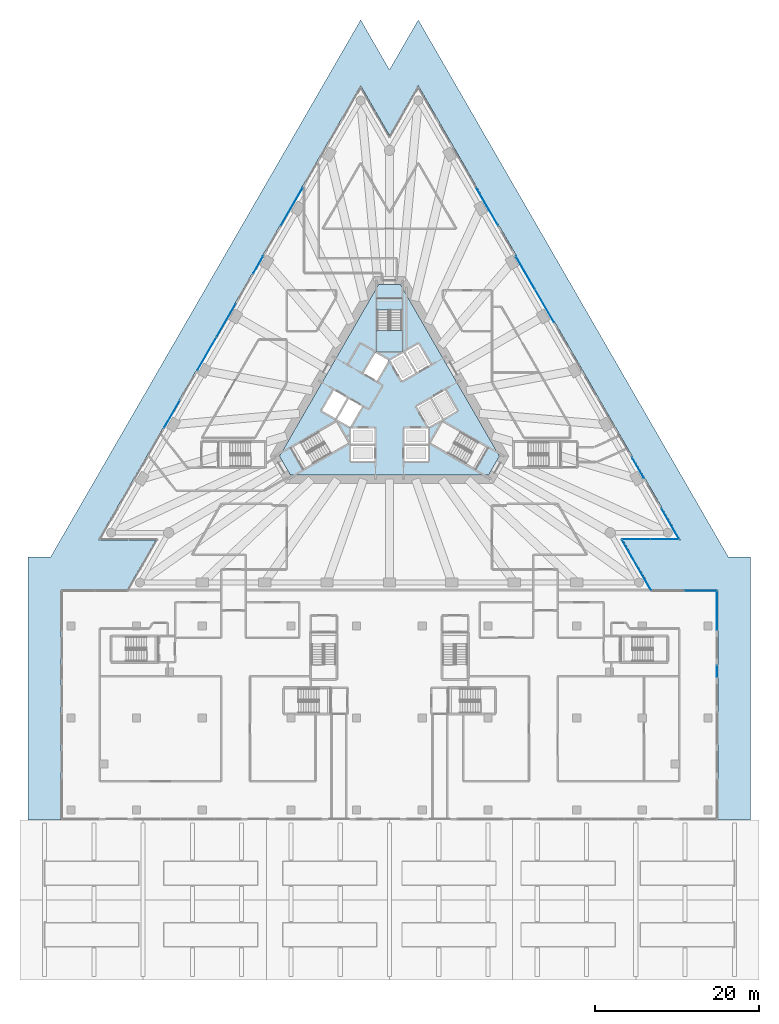
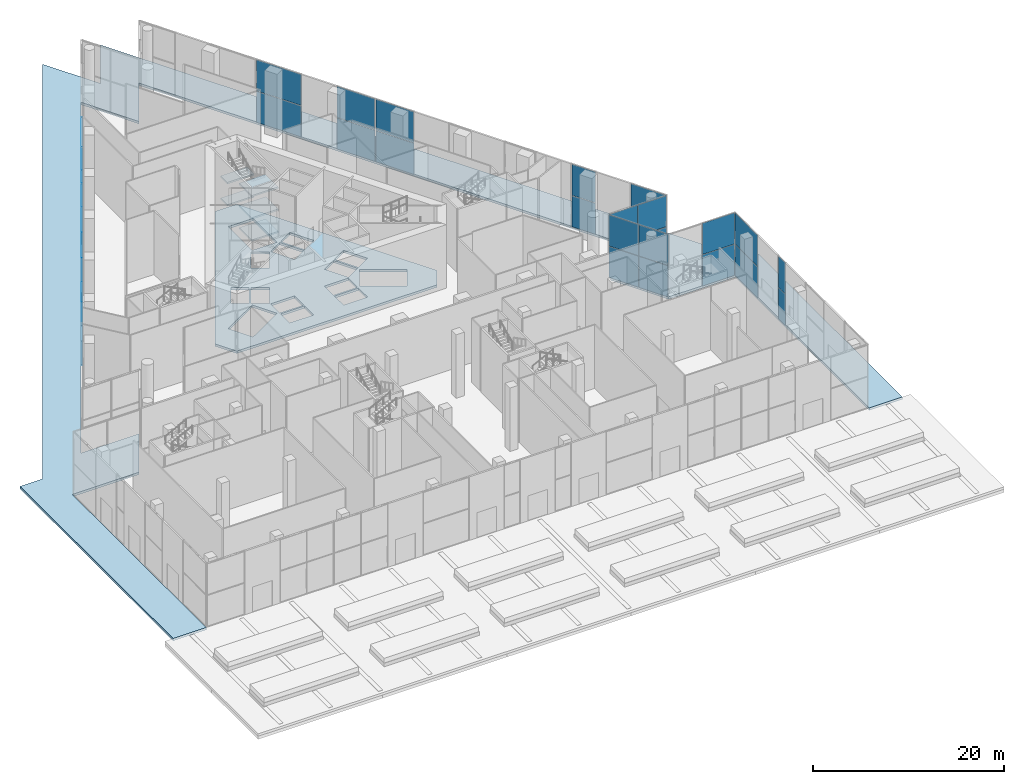
# One storey, part 18 of 41: 34 plates, 7 slabs, 16 elements without a shape of their own.
"""IFC4 building model written with IfcOpenShell, lengths in metres."""

from ifc_helpers import new_model, si_unit, direction, frame, origin, origin_2d, place, context, subcontext, project, spatial, polyline, rectangle, outline, extrude, material, layer, layer_set, type_object, element, aggregate, save


model = new_model("IFC4")

# Units and contexts
model_context = context("Model", 3, precision=1e-05, world=origin(), true_north=direction((0.0, 1.0)))
body_context = subcontext(model_context, "Body", "Model", "MODEL_VIEW")
ifc_project = project(units=[si_unit("LENGTHUNIT", "METRE"), si_unit("AREAUNIT", "SQUARE_METRE"), si_unit("VOLUMEUNIT", "CUBIC_METRE"), si_unit("PLANEANGLEUNIT", "RADIAN"), si_unit("MASSUNIT", "GRAM", prefix="KILO")], contexts=[model_context])

# Site, building, storey
site_placement = place(None, origin())
site = spatial("IfcSite", under=ifc_project, at=site_placement, CompositionType="ELEMENT")
building_placement = place(site_placement, origin())
building = spatial("IfcBuilding", under=site, at=building_placement, Name="Triada Interchange Tower", CompositionType="ELEMENT")
storey_placement = place(building_placement, origin())
storey = spatial("IfcBuildingStorey", under=building, at=storey_placement, Name="L00", CompositionType="ELEMENT", Elevation=0.0)

# Slab
ifc_material_1 = material(Name="Concrete C50/60", Category="concrete")
ifc_layer_1 = layer(ifc_material_1, 0.300048828125)
ifc_layer_set_1 = layer_set([ifc_layer_1], Name="Floor slab 300")
slab_type_1 = type_object("IfcSlabType", Name="Floor slab 300", PredefinedType="FLOOR", material=ifc_layer_set_1)
slab_1_placement = place(storey_placement, frame((0.0, 0.0, -0.300048828125)))
element("IfcSlab", 1, at=slab_1_placement, inside=storey, type_object=slab_type_1, Name="Core floor slab L00 1", PredefinedType="FLOOR", context=body_context, shape_type="SweptSolid", body=[
    extrude(outline(polyline([(13.39501953125, -6.199951171875), (12.06689453125, -8.5), (-12.06689453125, -8.5), (-13.39501953125, -6.199951171875), (-1.327880859375, 14.699951171875), (1.327880859375, 14.699951171875), (13.39501953125, -6.199951171875)]), holes=[polyline([(9.2958984375, -7.09912109375), (10.7958984375, -4.5009765625), (6.466064453125, -2.0009765625), (4.966064453125, -4.59912109375), (9.2958984375, -7.09912109375)]), polyline([(6.7890625, 1.841064453125), (5.14404296875, 0.89111328125), (6.593994140625, -1.6201171875), (8.239013671875, -0.669921875), (6.7890625, 1.841064453125)]), polyline([(4.969970703125, 0.791015625), (3.324951171875, -0.158935546875), (4.77490234375, -2.669921875), (6.419921875, -1.719970703125), (4.969970703125, 0.791015625)]), polyline([(1.89404296875, 6.52001953125), (3.343994140625, 4.009033203125), (4.989013671875, 4.958984375), (3.5390625, 7.469970703125), (1.89404296875, 6.52001953125)]), polyline([(1.800048828125, -4.89990234375), (1.800048828125, -6.800048828125), (4.699951171875, -6.800048828125), (4.699951171875, -4.89990234375), (1.800048828125, -4.89990234375)]), polyline([(1.800048828125, -2.800048828125), (1.800048828125, -4.10107421875), (1.800048828125, -4.699951171875), (4.699951171875, -4.699951171875), (4.699951171875, -2.800048828125), (1.800048828125, -2.800048828125)]), polyline([(1.52490234375, 2.958984375), (1.708984375, 3.06494140625), (3.169921875, 3.908935546875), (1.719970703125, 6.419921875), (0.074951171875, 5.469970703125), (1.52490234375, 2.958984375)]), polyline([(1.5, 11.60009765625), (-1.5, 11.60009765625), (-1.5, 6.60009765625), (1.5, 6.60009765625), (1.5, 11.60009765625)]), polyline([(-1.52490234375, 2.958984375), (-0.074951171875, 5.469970703125), (-1.719970703125, 6.419921875), (-3.169921875, 3.908935546875), (-1.52490234375, 2.958984375)]), polyline([(-4.699951171875, -2.800048828125), (-4.699951171875, -4.699951171875), (-1.800048828125, -4.699951171875), (-1.800048828125, -4.10107421875), (-1.800048828125, -2.800048828125), (-4.699951171875, -2.800048828125)]), polyline([(-4.699951171875, -4.89990234375), (-4.699951171875, -6.800048828125), (-1.800048828125, -6.800048828125), (-1.800048828125, -4.89990234375), (-4.699951171875, -4.89990234375)]), polyline([(-3.324951171875, -0.158935546875), (-3.450927734375, -0.0859375), (-4.969970703125, 0.791015625), (-6.419921875, -1.719970703125), (-4.77490234375, -2.669921875), (-3.324951171875, -0.158935546875)]), polyline([(-10.7958984375, -4.5009765625), (-9.2958984375, -7.09912109375), (-4.966064453125, -4.59912109375), (-6.466064453125, -2.0009765625), (-10.7958984375, -4.5009765625)]), polyline([(-6.593994140625, -1.6201171875), (-5.14404296875, 0.89111328125), (-6.7890625, 1.841064453125), (-8.239013671875, -0.669921875), (-6.593994140625, -1.6201171875)])]), origin(), (0.0, 0.0, 1.0), 0.300048828125),
])

# Curtain wall, plates
ifc_material_2 = material(Name="Aluminium framed glazing", Category="aluminium")
ifc_layer_2 = layer(ifc_material_2, 0.199951171875)
ifc_layer_set_2 = layer_set([ifc_layer_2], Name="Curtain wall Concourse glazed screen")
curtain_wall_type_1 = type_object("IfcCurtainWallType", Name="Curtain wall Concourse glazed screen", PredefinedType="NOTDEFINED", material=ifc_layer_set_2)
curtain_wall_1_placement = place(storey_placement, origin())
curtain_wall_1 = element("IfcCurtainWall", 2, at=curtain_wall_1_placement, inside=storey, type_object=curtain_wall_type_1, Name="Concourse glazed screen CW019 L00", PredefinedType="NOTDEFINED")
ifc_material_3 = material(Name="Insulated glazing unit", Category="glass")
ifc_layer_3 = layer(ifc_material_3, 0.031982421875)
ifc_layer_set_3 = layer_set([ifc_layer_3], Name="Glazing panel Concourse glazed screen 32")
plate_type_1 = type_object("IfcPlateType", Name="Glazing panel Concourse glazed screen 32", PredefinedType="CURTAIN_PANEL", material=ifc_layer_set_3)
plate_1_placement = place(storey_placement, frame((34.20458984375, -14.443115234375, 0.06005859375), z_axis=(0.0, 0.0, 1.0), x_axis=(-0.499974734167, 0.866039990529, 0.0)))
plate_1 = element("IfcPlate", 3, at=plate_1_placement, type_object=plate_type_1, Name="CW019 panel 1.1", PredefinedType="CURTAIN_PANEL", context=body_context, shape_type="SweptSolid", body=[
    extrude(rectangle(XDim=4.226318359375, YDim=0.031982421875, at=origin_2d()), origin(), (0.0, 0.0, 1.0), 3.9599609375),
])
plate_2_placement = place(storey_placement, frame((34.20458984375, -14.443115234375, 4.080078125), z_axis=(0.0, 0.0, 1.0), x_axis=(-0.499974734167, 0.866039990529, 0.0)))
plate_2 = element("IfcPlate", 4, at=plate_2_placement, type_object=plate_type_1, Name="CW019 panel 1.2", PredefinedType="CURTAIN_PANEL", context=body_context, shape_type="SweptSolid", body=[
    extrude(rectangle(XDim=4.226318359375, YDim=0.031982421875, at=origin_2d()), origin(), (0.0, 0.0, 1.0), 3.9599609375),
])
aggregate(curtain_wall_1, [plate_1, plate_2])

curtain_wall_2_placement = place(storey_placement, origin())
curtain_wall_2 = element("IfcCurtainWall", 5, at=curtain_wall_2_placement, inside=storey, type_object=curtain_wall_type_1, Name="Concourse glazed screen CW020 L00", PredefinedType="NOTDEFINED")
plate_3_placement = place(storey_placement, frame((30.279541015625, -7.64501953125, 0.06005859375), z_axis=(0.0, 0.0, 1.0), x_axis=(-0.500035042179, 0.866005171228, 0.0)))
plate_3 = element("IfcPlate", 6, at=plate_3_placement, type_object=plate_type_1, Name="CW020 panel 1.1", PredefinedType="CURTAIN_PANEL", context=body_context, shape_type="SweptSolid", body=[
    extrude(rectangle(XDim=2.833740234375, YDim=0.031982421875, at=origin_2d()), origin(), (0.0, 0.0, 1.0), 3.9599609375),
])
plate_4_placement = place(storey_placement, frame((30.279541015625, -7.64501953125, 4.080078125), z_axis=(0.0, 0.0, 1.0), x_axis=(-0.500035042179, 0.866005171228, 0.0)))
plate_4 = element("IfcPlate", 7, at=plate_4_placement, type_object=plate_type_1, Name="CW020 panel 1.2", PredefinedType="CURTAIN_PANEL", context=body_context, shape_type="SweptSolid", body=[
    extrude(rectangle(XDim=2.833740234375, YDim=0.031982421875, at=origin_2d()), origin(), (0.0, 0.0, 1.0), 3.9599609375),
])
aggregate(curtain_wall_2, [plate_3, plate_4])

curtain_wall_3_placement = place(storey_placement, origin())
curtain_wall_3 = element("IfcCurtainWall", 8, at=curtain_wall_3_placement, inside=storey, type_object=curtain_wall_type_1, Name="Concourse glazed screen CW023 L00", PredefinedType="NOTDEFINED")
plate_5_placement = place(storey_placement, frame((18.89453125, 12.073486328125, 0.06005859375), z_axis=(0.0, 0.0, 1.0), x_axis=(-0.500110448923, 0.865961626677, 0.0)))
plate_5 = element("IfcPlate", 9, at=plate_5_placement, type_object=plate_type_1, Name="CW023 panel 1.1", PredefinedType="CURTAIN_PANEL", context=body_context, shape_type="SweptSolid", body=[
    extrude(rectangle(XDim=4.56494140625, YDim=0.031982421875, at=origin_2d()), origin(), (0.0, 0.0, 1.0), 3.9599609375),
])
plate_6_placement = place(storey_placement, frame((18.89453125, 12.073486328125, 4.080078125), z_axis=(0.0, 0.0, 1.0), x_axis=(-0.500110448923, 0.865961626677, 0.0)))
plate_6 = element("IfcPlate", 10, at=plate_6_placement, type_object=plate_type_1, Name="CW023 panel 1.2", PredefinedType="CURTAIN_PANEL", context=body_context, shape_type="SweptSolid", body=[
    extrude(rectangle(XDim=4.56494140625, YDim=0.031982421875, at=origin_2d()), origin(), (0.0, 0.0, 1.0), 3.9599609375),
])
aggregate(curtain_wall_3, [plate_5, plate_6])

curtain_wall_4_placement = place(storey_placement, origin())
curtain_wall_4 = element("IfcCurtainWall", 11, at=curtain_wall_4_placement, inside=storey, type_object=curtain_wall_type_1, Name="Concourse glazed screen CW024 L00", PredefinedType="NOTDEFINED")
plate_7_placement = place(storey_placement, frame((16.547119140625, 16.139404296875, 0.06005859375), z_axis=(0.0, 0.0, 1.0), x_axis=(-0.499950360297, 0.866054061384, 0.0)))
plate_7 = element("IfcPlate", 12, at=plate_7_placement, type_object=plate_type_1, Name="CW024 panel 1.1", PredefinedType="CURTAIN_PANEL", context=body_context, shape_type="SweptSolid", body=[
    extrude(rectangle(XDim=4.564453125, YDim=0.031982421875, at=origin_2d()), origin(), (0.0, 0.0, 1.0), 3.9599609375),
])
plate_8_placement = place(storey_placement, frame((16.547119140625, 16.139404296875, 4.080078125), z_axis=(0.0, 0.0, 1.0), x_axis=(-0.499950360297, 0.866054061384, 0.0)))
plate_8 = element("IfcPlate", 13, at=plate_8_placement, type_object=plate_type_1, Name="CW024 panel 1.2", PredefinedType="CURTAIN_PANEL", context=body_context, shape_type="SweptSolid", body=[
    extrude(rectangle(XDim=4.564453125, YDim=0.031982421875, at=origin_2d()), origin(), (0.0, 0.0, 1.0), 3.9599609375),
])
aggregate(curtain_wall_4, [plate_7, plate_8])

curtain_wall_5_placement = place(storey_placement, origin())
curtain_wall_5 = element("IfcCurtainWall", 14, at=curtain_wall_5_placement, inside=storey, type_object=curtain_wall_type_1, Name="Concourse glazed screen CW025 L00", PredefinedType="NOTDEFINED")
plate_9_placement = place(storey_placement, frame((11.903076171875, 24.1826171875, 0.06005859375), z_axis=(0.0, 0.0, 1.0), x_axis=(-0.50009553642, 0.86597023878, 0.0)))
plate_9 = element("IfcPlate", 15, at=plate_9_placement, type_object=plate_type_1, Name="CW025 panel 1.1", PredefinedType="CURTAIN_PANEL", context=body_context, shape_type="SweptSolid", body=[
    extrude(rectangle(XDim=5.370849609375, YDim=0.031982421875, at=origin_2d()), origin(), (0.0, 0.0, 1.0), 3.9599609375),
])
plate_10_placement = place(storey_placement, frame((11.903076171875, 24.1826171875, 4.080078125), z_axis=(0.0, 0.0, 1.0), x_axis=(-0.50009553642, 0.86597023878, 0.0)))
plate_10 = element("IfcPlate", 16, at=plate_10_placement, type_object=plate_type_1, Name="CW025 panel 1.2", PredefinedType="CURTAIN_PANEL", context=body_context, shape_type="SweptSolid", body=[
    extrude(rectangle(XDim=5.370849609375, YDim=0.031982421875, at=origin_2d()), origin(), (0.0, 0.0, 1.0), 3.9599609375),
])
aggregate(curtain_wall_5, [plate_9, plate_10])

curtain_wall_6_placement = place(storey_placement, origin())
curtain_wall_6 = element("IfcCurtainWall", 17, at=curtain_wall_6_placement, inside=storey, type_object=curtain_wall_type_1, Name="Concourse glazed screen CW032 L00", PredefinedType="NOTDEFINED")
plate_11_placement = place(storey_placement, frame((-11.91650390625, 24.159423828125, 0.06005859375), z_axis=(0.0, 0.0, 1.0), x_axis=(-0.500035527435, -0.866004891039, 0.0)))
plate_11 = element("IfcPlate", 18, at=plate_11_placement, type_object=plate_type_1, Name="CW032 panel 1.1", PredefinedType="CURTAIN_PANEL", context=body_context, shape_type="SweptSolid", body=[
    extrude(rectangle(XDim=5.317626953125, YDim=0.031982421875, at=origin_2d()), origin(), (0.0, 0.0, 1.0), 3.9599609375),
])
plate_12_placement = place(storey_placement, frame((-11.91650390625, 24.159423828125, 4.080078125), z_axis=(0.0, 0.0, 1.0), x_axis=(-0.500035527435, -0.866004891039, 0.0)))
plate_12 = element("IfcPlate", 19, at=plate_12_placement, type_object=plate_type_1, Name="CW032 panel 1.2", PredefinedType="CURTAIN_PANEL", context=body_context, shape_type="SweptSolid", body=[
    extrude(rectangle(XDim=5.317626953125, YDim=0.031982421875, at=origin_2d()), origin(), (0.0, 0.0, 1.0), 3.9599609375),
])
aggregate(curtain_wall_6, [plate_11, plate_12])

curtain_wall_7_placement = place(storey_placement, origin())
curtain_wall_7 = element("IfcCurtainWall", 20, at=curtain_wall_7_placement, inside=storey, type_object=curtain_wall_type_1, Name="Concourse glazed screen CW033 L00", PredefinedType="NOTDEFINED")
plate_13_placement = place(storey_placement, frame((-16.00390625, 17.07958984375, 0.06005859375), z_axis=(0.0, 0.0, 1.0), x_axis=(-0.500078582492, -0.865980029408, 0.0)))
plate_13 = element("IfcPlate", 21, at=plate_13_placement, type_object=plate_type_1, Name="CW033 panel 1.1", PredefinedType="CURTAIN_PANEL", context=body_context, shape_type="SweptSolid", body=[
    extrude(rectangle(XDim=2.3916015625, YDim=0.031982421875, at=origin_2d()), origin(), (0.0, 0.0, 1.0), 3.9599609375),
])
plate_14_placement = place(storey_placement, frame((-16.00390625, 17.07958984375, 4.080078125), z_axis=(0.0, 0.0, 1.0), x_axis=(-0.500078582492, -0.865980029408, 0.0)))
plate_14 = element("IfcPlate", 22, at=plate_14_placement, type_object=plate_type_1, Name="CW033 panel 1.2", PredefinedType="CURTAIN_PANEL", context=body_context, shape_type="SweptSolid", body=[
    extrude(rectangle(XDim=2.3916015625, YDim=0.031982421875, at=origin_2d()), origin(), (0.0, 0.0, 1.0), 3.9599609375),
])
aggregate(curtain_wall_7, [plate_13, plate_14])

curtain_wall_8_placement = place(storey_placement, origin())
curtain_wall_8 = element("IfcCurtainWall", 23, at=curtain_wall_8_placement, inside=storey, type_object=curtain_wall_type_1, Name="Concourse glazed screen CW034 L00", PredefinedType="NOTDEFINED")
plate_15_placement = place(storey_placement, frame((-19.903564453125, 10.326416015625, 0.06005859375), z_axis=(0.0, 0.0, 1.0), x_axis=(-0.500110448923, -0.865961626677, 0.0)))
plate_15 = element("IfcPlate", 24, at=plate_15_placement, type_object=plate_type_1, Name="CW034 panel 1.1", PredefinedType="CURTAIN_PANEL", context=body_context, shape_type="SweptSolid", body=[
    extrude(rectangle(XDim=4.56494140625, YDim=0.031982421875, at=origin_2d()), origin(), (0.0, 0.0, 1.0), 3.9599609375),
])
plate_16_placement = place(storey_placement, frame((-19.903564453125, 10.326416015625, 4.080078125), z_axis=(0.0, 0.0, 1.0), x_axis=(-0.500110448923, -0.865961626677, 0.0)))
plate_16 = element("IfcPlate", 25, at=plate_16_placement, type_object=plate_type_1, Name="CW034 panel 1.2", PredefinedType="CURTAIN_PANEL", context=body_context, shape_type="SweptSolid", body=[
    extrude(rectangle(XDim=4.56494140625, YDim=0.031982421875, at=origin_2d()), origin(), (0.0, 0.0, 1.0), 3.9599609375),
])
aggregate(curtain_wall_8, [plate_15, plate_16])

curtain_wall_9_placement = place(storey_placement, origin())
curtain_wall_9 = element("IfcCurtainWall", 26, at=curtain_wall_9_placement, inside=storey, type_object=curtain_wall_type_1, Name="Concourse glazed screen CW035 L00", PredefinedType="NOTDEFINED")
plate_17_placement = place(storey_placement, frame((-22.2509765625, 6.260498046875, 0.06005859375), z_axis=(0.0, 0.0, 1.0), x_axis=(-0.499950360297, -0.866054061384, 0.0)))
plate_17 = element("IfcPlate", 27, at=plate_17_placement, type_object=plate_type_1, Name="CW035 panel 1.1", PredefinedType="CURTAIN_PANEL", context=body_context, shape_type="SweptSolid", body=[
    extrude(rectangle(XDim=4.564453125, YDim=0.031982421875, at=origin_2d()), origin(), (0.0, 0.0, 1.0), 3.9599609375),
])
plate_18_placement = place(storey_placement, frame((-22.2509765625, 6.260498046875, 4.080078125), z_axis=(0.0, 0.0, 1.0), x_axis=(-0.499950360297, -0.866054061384, 0.0)))
plate_18 = element("IfcPlate", 28, at=plate_18_placement, type_object=plate_type_1, Name="CW035 panel 1.2", PredefinedType="CURTAIN_PANEL", context=body_context, shape_type="SweptSolid", body=[
    extrude(rectangle(XDim=4.564453125, YDim=0.031982421875, at=origin_2d()), origin(), (0.0, 0.0, 1.0), 3.9599609375),
])
aggregate(curtain_wall_9, [plate_17, plate_18])

curtain_wall_10_placement = place(storey_placement, origin())
curtain_wall_10 = element("IfcCurtainWall", 29, at=curtain_wall_10_placement, inside=storey, type_object=curtain_wall_type_1, Name="Concourse glazed screen CW036 L00", PredefinedType="NOTDEFINED")
plate_19_placement = place(storey_placement, frame((-26.489501953125, -1.0810546875, 0.06005859375), z_axis=(0.0, 0.0, 1.0), x_axis=(-0.499946109043, -0.866056515508, 0.0)))
plate_19 = element("IfcPlate", 30, at=plate_19_placement, type_object=plate_type_1, Name="CW036 panel 1.1", PredefinedType="CURTAIN_PANEL", context=body_context, shape_type="SweptSolid", body=[
    extrude(rectangle(XDim=3.75048828125, YDim=0.031982421875, at=origin_2d()), origin(), (0.0, 0.0, 1.0), 3.9599609375),
])
plate_20_placement = place(storey_placement, frame((-26.489501953125, -1.0810546875, 4.080078125), z_axis=(0.0, 0.0, 1.0), x_axis=(-0.499946109043, -0.866056515508, 0.0)))
plate_20 = element("IfcPlate", 31, at=plate_20_placement, type_object=plate_type_1, Name="CW036 panel 1.2", PredefinedType="CURTAIN_PANEL", context=body_context, shape_type="SweptSolid", body=[
    extrude(rectangle(XDim=3.75048828125, YDim=0.031982421875, at=origin_2d()), origin(), (0.0, 0.0, 1.0), 3.9599609375),
])
aggregate(curtain_wall_10, [plate_19, plate_20])

ifc_layer_4 = layer(ifc_material_2, 0.199951171875)
ifc_layer_set_4 = layer_set([ifc_layer_4], Name="Curtain wall Retail shopfront")
curtain_wall_type_2 = type_object("IfcCurtainWallType", Name="Curtain wall Retail shopfront", PredefinedType="NOTDEFINED", material=ifc_layer_set_4)
curtain_wall_11_placement = place(storey_placement, origin())
curtain_wall_11 = element("IfcCurtainWall", 32, at=curtain_wall_11_placement, inside=storey, type_object=curtain_wall_type_2, Name="Retail shopfront CW013 L00", PredefinedType="NOTDEFINED")
ifc_layer_5 = layer(ifc_material_3, 0.028076171875)
ifc_layer_set_5 = layer_set([ifc_layer_5], Name="Glazing panel Retail shopfront 28")
plate_type_2 = type_object("IfcPlateType", Name="Glazing panel Retail shopfront 28", PredefinedType="CURTAIN_PANEL", material=ifc_layer_set_5)
plate_21_placement = place(storey_placement, frame((39.89990234375, -32.425048828125, 0.050048828125), z_axis=(0.0, 0.0, 1.0), x_axis=(0.0, 1.0, 0.0)))
plate_21 = element("IfcPlate", 33, at=plate_21_placement, type_object=plate_type_2, Name="CW013 panel 1.1", PredefinedType="CURTAIN_PANEL", context=body_context, shape_type="SweptSolid", body=[
    extrude(rectangle(XDim=1.449951171875, YDim=0.028076171875, at=origin_2d()), origin(), (0.0, 0.0, 1.0), 3.97509765625),
])
plate_22_placement = place(storey_placement, frame((39.89990234375, -32.425048828125, 4.074951171875), z_axis=(0.0, 0.0, 1.0), x_axis=(0.0, 1.0, 0.0)))
plate_22 = element("IfcPlate", 34, at=plate_22_placement, type_object=plate_type_2, Name="CW013 panel 1.2", PredefinedType="CURTAIN_PANEL", context=body_context, shape_type="SweptSolid", body=[
    extrude(rectangle(XDim=1.449951171875, YDim=0.028076171875, at=origin_2d()), origin(), (0.0, 0.0, 1.0), 3.97509765625),
])
aggregate(curtain_wall_11, [plate_21, plate_22])

curtain_wall_12_placement = place(storey_placement, origin())
curtain_wall_12 = element("IfcCurtainWall", 35, at=curtain_wall_12_placement, inside=storey, type_object=curtain_wall_type_2, Name="Retail shopfront CW014 L00", PredefinedType="NOTDEFINED")
plate_23_placement = place(storey_placement, frame((39.89990234375, -25.02490234375, 0.050048828125), z_axis=(0.0, 0.0, 1.0), x_axis=(0.0, 1.0, 0.0)))
plate_23 = element("IfcPlate", 36, at=plate_23_placement, type_object=plate_type_2, Name="CW014 panel 1.1", PredefinedType="CURTAIN_PANEL", context=body_context, shape_type="SweptSolid", body=[
    extrude(rectangle(XDim=4.75, YDim=0.028076171875, at=origin_2d()), origin(), (0.0, 0.0, 1.0), 3.97509765625),
])
plate_24_placement = place(storey_placement, frame((39.89990234375, -25.02490234375, 4.074951171875), z_axis=(0.0, 0.0, 1.0), x_axis=(0.0, 1.0, 0.0)))
plate_24 = element("IfcPlate", 37, at=plate_24_placement, type_object=plate_type_2, Name="CW014 panel 1.2", PredefinedType="CURTAIN_PANEL", context=body_context, shape_type="SweptSolid", body=[
    extrude(rectangle(XDim=4.75, YDim=0.028076171875, at=origin_2d()), origin(), (0.0, 0.0, 1.0), 3.97509765625),
])
aggregate(curtain_wall_12, [plate_23, plate_24])

curtain_wall_13_placement = place(storey_placement, origin())
curtain_wall_13 = element("IfcCurtainWall", 38, at=curtain_wall_13_placement, inside=storey, type_object=curtain_wall_type_2, Name="Retail shopfront CW015 L00", PredefinedType="NOTDEFINED")
plate_25_placement = place(storey_placement, frame((37.902099609375, -22.60009765625, 0.050048828125), z_axis=(0.0, 0.0, 1.0), x_axis=(-1.0, 0.0, 0.0)))
plate_25 = element("IfcPlate", 39, at=plate_25_placement, type_object=plate_type_2, Name="CW015 panel 1.1", PredefinedType="CURTAIN_PANEL", context=body_context, shape_type="SweptSolid", body=[
    extrude(rectangle(XDim=3.89599609375, YDim=0.028076171875, at=origin_2d()), origin(), (0.0, 0.0, 1.0), 3.97509765625),
])
plate_26_placement = place(storey_placement, frame((37.902099609375, -22.60009765625, 4.074951171875), z_axis=(0.0, 0.0, 1.0), x_axis=(-1.0, 0.0, 0.0)))
plate_26 = element("IfcPlate", 40, at=plate_26_placement, type_object=plate_type_2, Name="CW015 panel 1.2", PredefinedType="CURTAIN_PANEL", context=body_context, shape_type="SweptSolid", body=[
    extrude(rectangle(XDim=3.89599609375, YDim=0.028076171875, at=origin_2d()), origin(), (0.0, 0.0, 1.0), 3.97509765625),
])
aggregate(curtain_wall_13, [plate_25, plate_26])

ifc_layer_6 = layer(ifc_material_2, 0.199951171875)
ifc_layer_set_6 = layer_set([ifc_layer_6], Name="Curtain wall Tower lobby glazing")
curtain_wall_type_3 = type_object("IfcCurtainWallType", Name="Curtain wall Tower lobby glazing", PredefinedType="NOTDEFINED", material=ifc_layer_set_6)
curtain_wall_14_placement = place(storey_placement, origin())
curtain_wall_14 = element("IfcCurtainWall", 41, at=curtain_wall_14_placement, inside=storey, type_object=curtain_wall_type_3, Name="Tower lobby glazing CW017 L00", PredefinedType="NOTDEFINED")
ifc_layer_7 = layer(ifc_material_3, 0.031982421875)
ifc_layer_set_7 = layer_set([ifc_layer_7], Name="Glazing panel Tower lobby glazing 32")
plate_type_3 = type_object("IfcPlateType", Name="Glazing panel Tower lobby glazing 32", PredefinedType="CURTAIN_PANEL", material=ifc_layer_set_7)
plate_27_placement = place(storey_placement, frame((30.985107421875, -21.018310546875, 0.06005859375), z_axis=(0.0, 0.0, 1.0), x_axis=(-0.499909634761, 0.866077569894, 0.0)))
plate_27 = element("IfcPlate", 42, at=plate_27_placement, type_object=plate_type_3, Name="CW017 panel 1.1", PredefinedType="CURTAIN_PANEL", context=body_context, shape_type="SweptSolid", body=[
    extrude(rectangle(XDim=3.53271484375, YDim=0.031982421875, at=origin_2d()), origin(), (0.0, 0.0, 1.0), 3.9599609375),
])
plate_28_placement = place(storey_placement, frame((30.985107421875, -21.018310546875, 4.080078125), z_axis=(0.0, 0.0, 1.0), x_axis=(-0.499909634761, 0.866077569894, 0.0)))
plate_28 = element("IfcPlate", 43, at=plate_28_placement, type_object=plate_type_3, Name="CW017 panel 1.2", PredefinedType="CURTAIN_PANEL", context=body_context, shape_type="SweptSolid", body=[
    extrude(rectangle(XDim=3.53271484375, YDim=0.031982421875, at=origin_2d()), origin(), (0.0, 0.0, 1.0), 3.9599609375),
])
plate_29_placement = place(storey_placement, frame((29.18896484375, -17.90673828125, 0.06005859375), z_axis=(0.0, 0.0, 1.0), x_axis=(-0.499909634761, 0.866077569894, 0.0)))
plate_29 = element("IfcPlate", 44, at=plate_29_placement, type_object=plate_type_3, Name="CW017 panel 2.1", PredefinedType="CURTAIN_PANEL", context=body_context, shape_type="SweptSolid", body=[
    extrude(rectangle(XDim=3.53271484375, YDim=0.031982421875, at=origin_2d()), origin(), (0.0, 0.0, 1.0), 3.9599609375),
])
plate_30_placement = place(storey_placement, frame((29.18896484375, -17.90673828125, 4.080078125), z_axis=(0.0, 0.0, 1.0), x_axis=(-0.499909634761, 0.866077569894, 0.0)))
plate_30 = element("IfcPlate", 45, at=plate_30_placement, type_object=plate_type_3, Name="CW017 panel 2.2", PredefinedType="CURTAIN_PANEL", context=body_context, shape_type="SweptSolid", body=[
    extrude(rectangle(XDim=3.53271484375, YDim=0.031982421875, at=origin_2d()), origin(), (0.0, 0.0, 1.0), 3.9599609375),
])
aggregate(curtain_wall_14, [plate_27, plate_28, plate_29, plate_30])

curtain_wall_15_placement = place(storey_placement, origin())
curtain_wall_15 = element("IfcCurtainWall", 46, at=curtain_wall_15_placement, inside=storey, type_object=curtain_wall_type_3, Name="Tower lobby glazing CW018 L00", PredefinedType="NOTDEFINED")
plate_31_placement = place(storey_placement, frame((30.044677734375, -16.324951171875, 0.06005859375), z_axis=(0.0, 0.0, 1.0), x_axis=(1.0, 0.0, 0.0)))
plate_31 = element("IfcPlate", 47, at=plate_31_placement, type_object=plate_type_3, Name="CW018 panel 1.1", PredefinedType="CURTAIN_PANEL", context=body_context, shape_type="SweptSolid", body=[
    extrude(rectangle(XDim=3.41748046875, YDim=0.031982421875, at=origin_2d()), origin(), (0.0, 0.0, 1.0), 3.9599609375),
])
plate_32_placement = place(storey_placement, frame((30.044677734375, -16.324951171875, 4.080078125), z_axis=(0.0, 0.0, 1.0), x_axis=(1.0, 0.0, 0.0)))
plate_32 = element("IfcPlate", 48, at=plate_32_placement, type_object=plate_type_3, Name="CW018 panel 1.2", PredefinedType="CURTAIN_PANEL", context=body_context, shape_type="SweptSolid", body=[
    extrude(rectangle(XDim=3.41748046875, YDim=0.031982421875, at=origin_2d()), origin(), (0.0, 0.0, 1.0), 3.9599609375),
])
plate_33_placement = place(storey_placement, frame((33.522216796875, -16.324951171875, 0.06005859375), z_axis=(0.0, 0.0, 1.0), x_axis=(1.0, 0.0, 0.0)))
plate_33 = element("IfcPlate", 49, at=plate_33_placement, type_object=plate_type_3, Name="CW018 panel 2.1", PredefinedType="CURTAIN_PANEL", context=body_context, shape_type="SweptSolid", body=[
    extrude(rectangle(XDim=3.41748046875, YDim=0.031982421875, at=origin_2d()), origin(), (0.0, 0.0, 1.0), 3.9599609375),
])
plate_34_placement = place(storey_placement, frame((33.522216796875, -16.324951171875, 4.080078125), z_axis=(0.0, 0.0, 1.0), x_axis=(1.0, 0.0, 0.0)))
plate_34 = element("IfcPlate", 50, at=plate_34_placement, type_object=plate_type_3, Name="CW018 panel 2.2", PredefinedType="CURTAIN_PANEL", context=body_context, shape_type="SweptSolid", body=[
    extrude(rectangle(XDim=3.41748046875, YDim=0.031982421875, at=origin_2d()), origin(), (0.0, 0.0, 1.0), 3.9599609375),
])
aggregate(curtain_wall_15, [plate_31, plate_32, plate_33, plate_34])

# Slab
ifc_material_4 = material(Name="Granite paving on Concrete C30/37 base", Category="masonry")
ifc_layer_8 = layer(ifc_material_4, 0.300048828125)
ifc_layer_set_8 = layer_set([ifc_layer_8], Name="Paving slab 300")
slab_type_2 = type_object("IfcSlabType", Name="Paving slab 300", PredefinedType="USERDEFINED", material=ifc_layer_set_8)
slab_2_placement = place(storey_placement, frame((0.0, 0.0, -0.300048828125)))
element("IfcSlab", 51, at=slab_2_placement, inside=storey, type_object=slab_type_2, Name="Plaza paving 01", ObjectType="PAVING", PredefinedType="USERDEFINED", context=body_context, shape_type="SweptSolid", body=[
    extrude(outline(polyline([(-44.0, -18.5), (-44.0, -50.5), (-40.0, -50.5), (-40.0, -22.5), (-31.9560546875, -22.5), (-28.448974609375, -16.425048828125), (-35.464111328125, -16.425048828125), (-3.507080078125, 38.925048828125), (0.0, 32.85009765625), (3.507080078125, 38.925048828125), (35.464111328125, -16.425048828125), (28.448974609375, -16.425048828125), (31.9560546875, -22.5), (40.0, -22.5), (40.0, -50.5), (44.0, -50.5), (44.0, -18.5), (41.281005859375, -18.5), (3.507080078125, 46.925048828125), (0.0, 40.85107421875), (-3.507080078125, 46.925048828125), (-41.281005859375, -18.5), (-44.0, -18.5)])), origin(), (0.0, 0.0, 1.0), 0.300048828125),
])

# Stair, slabs
ifc_material_5 = material(Name="Concrete C35/45", Category="concrete")
stair_type = type_object("IfcStairType", Name="HALF TURN STAIR 1400", PredefinedType="HALF_TURN_STAIR", material=ifc_material_5)
stair_placement = place(storey_placement, origin())
stair = element("IfcStair", 52, at=stair_placement, inside=storey, type_object=stair_type, Name="Exit stair S00-1", PredefinedType="HALF_TURN_STAIR")
ifc_layer_9 = layer(ifc_material_5, 0.199951171875)
ifc_layer_set_9 = layer_set([ifc_layer_9], Name="STAIR LANDING 200")
slab_type_3 = type_object("IfcSlabType", Name="STAIR LANDING 200", PredefinedType="LANDING", material=ifc_layer_set_9)
slab_3_placement = place(storey_placement, frame((0.0, 0.0, 1.216796875)))
slab_3 = element("IfcSlab", 53, at=slab_3_placement, type_object=slab_type_3, Name="S00-1 landing 1", PredefinedType="LANDING", context=body_context, shape_type="SweptSolid", body=[
    extrude(outline(polyline([(1.60009765625, 6.5), (1.60009765625, 9.1201171875), (-1.60009765625, 9.1201171875), (-1.60009765625, 6.5), (1.60009765625, 6.5)])), origin(), (0.0, 0.0, 1.0), 0.199951171875),
])
slab_4_placement = place(storey_placement, frame((0.0, 0.0, 4.050048828125)))
slab_4 = element("IfcSlab", 54, at=slab_4_placement, type_object=slab_type_3, Name="S00-1 landing 2", PredefinedType="LANDING", context=body_context, shape_type="SweptSolid", body=[
    extrude(outline(polyline([(1.60009765625, 6.5), (1.60009765625, 9.1201171875), (-1.60009765625, 9.1201171875), (-1.60009765625, 6.5), (1.60009765625, 6.5)])), origin(), (0.0, 0.0, 1.0), 0.199951171875),
])
slab_5_placement = place(storey_placement, frame((0.0, 0.0, 6.883544921875)))
slab_5 = element("IfcSlab", 55, at=slab_5_placement, type_object=slab_type_3, Name="S00-1 landing 3", PredefinedType="LANDING", context=body_context, shape_type="SweptSolid", body=[
    extrude(outline(polyline([(1.60009765625, 6.5), (1.60009765625, 9.1201171875), (-1.60009765625, 9.1201171875), (-1.60009765625, 6.5), (1.60009765625, 6.5)])), origin(), (0.0, 0.0, 1.0), 0.199951171875),
])
slab_6_placement = place(storey_placement, frame((0.0, 0.0, 2.63330078125)))
slab_6 = element("IfcSlab", 56, at=slab_6_placement, type_object=slab_type_3, Name="S00-1 landing 4", PredefinedType="LANDING", context=body_context, shape_type="SweptSolid", body=[
    extrude(outline(polyline([(1.60009765625, 11.60009765625), (1.60009765625, 13.0), (-1.60009765625, 13.0), (-1.60009765625, 11.60009765625), (1.60009765625, 11.60009765625)])), origin(), (0.0, 0.0, 1.0), 0.2001953125),
])
slab_7_placement = place(storey_placement, frame((0.0, 0.0, 5.466796875)))
slab_7 = element("IfcSlab", 57, at=slab_7_placement, type_object=slab_type_3, Name="S00-1 landing 5", PredefinedType="LANDING", context=body_context, shape_type="SweptSolid", body=[
    extrude(outline(polyline([(1.60009765625, 11.60009765625), (1.60009765625, 13.0), (-1.60009765625, 13.0), (-1.60009765625, 11.60009765625), (1.60009765625, 11.60009765625)])), origin(), (0.0, 0.0, 1.0), 0.199951171875),
])
aggregate(stair, [slab_3, slab_4, slab_5, slab_6, slab_7])

save(model, "model.ifc")
